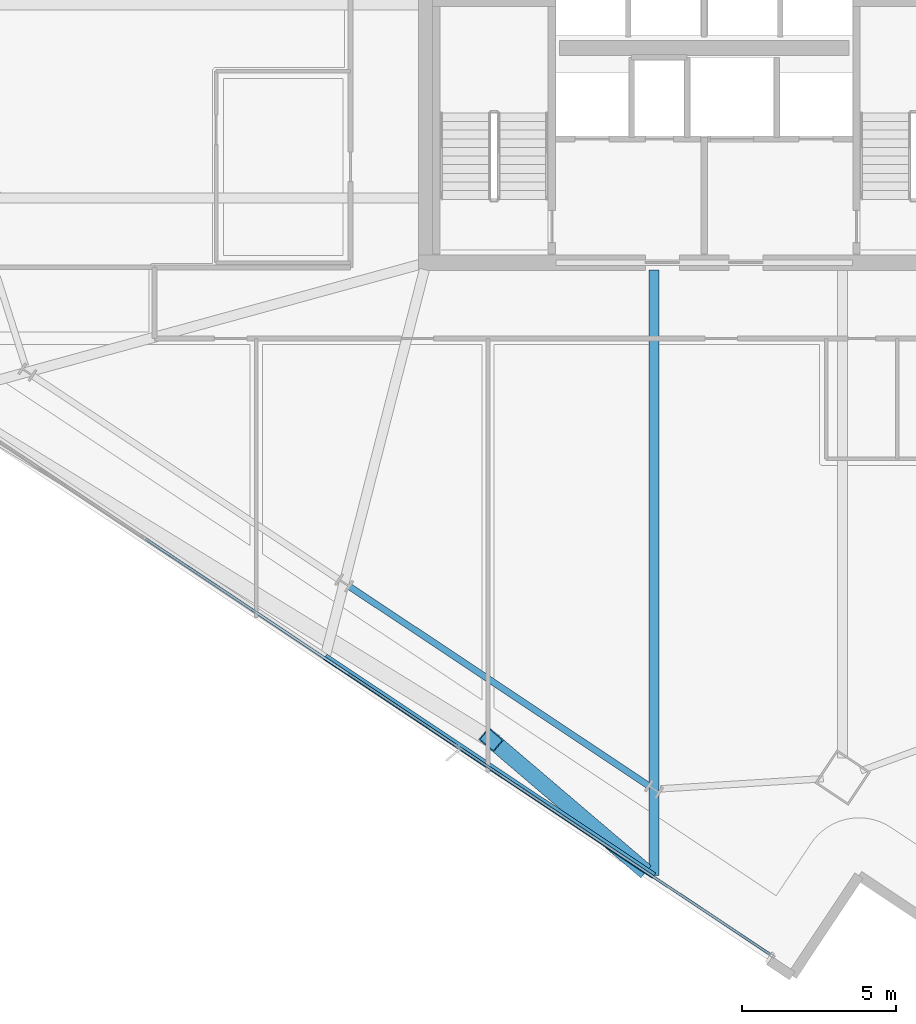
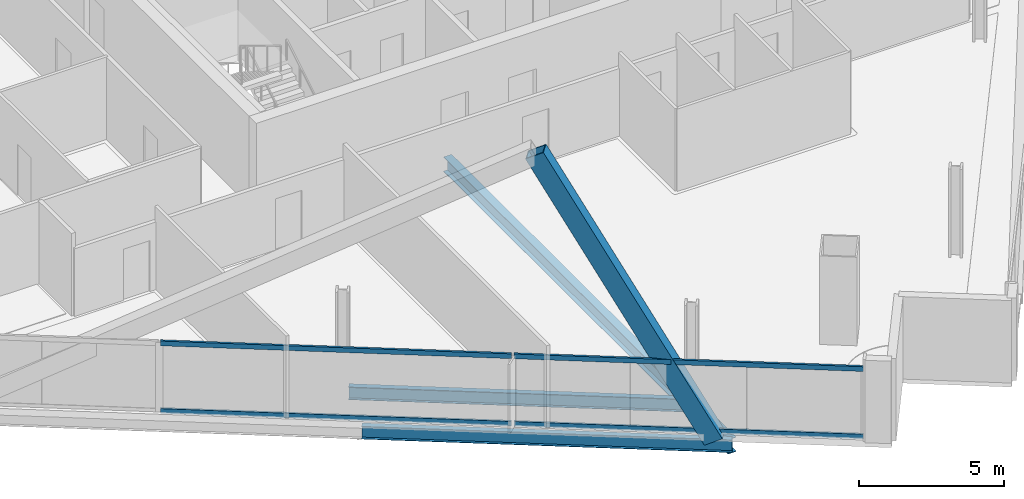
# One storey, part 3 of 32: 5 members, 3 beams, 1 element without a shape of its own.
"""IFC4 building model written with IfcOpenShell, lengths in metres."""

from ifc_helpers import new_model, si_unit, direction, frame, origin, origin_2d, place, context, subcontext, project, spatial, hollow_rectangle, i_section, extrude, material, material_profile, profile_set, type_object, element, aggregate, save


model = new_model("IFC4")

# Units and contexts
model_context = context("Model", 3, precision=1e-05, world=origin(), true_north=direction((0.0, 1.0)))
body_context = subcontext(model_context, "Body", "Model", "MODEL_VIEW")
ifc_project = project(units=[si_unit("LENGTHUNIT", "METRE"), si_unit("AREAUNIT", "SQUARE_METRE"), si_unit("VOLUMEUNIT", "CUBIC_METRE"), si_unit("PLANEANGLEUNIT", "RADIAN"), si_unit("MASSUNIT", "GRAM", prefix="KILO")], contexts=[model_context])

# Site, building, storey
site_placement = place(None, origin())
site = spatial("IfcSite", under=ifc_project, at=site_placement, CompositionType="ELEMENT")
building_placement = place(site_placement, origin())
building = spatial("IfcBuilding", under=site, at=building_placement, Name="Haldenkirk Collegiate Tower", CompositionType="ELEMENT")
storey_placement = place(building_placement, frame((0.0, 0.0, 217.199951171875)))
storey = spatial("IfcBuildingStorey", under=building, at=storey_placement, Name="L54", CompositionType="ELEMENT", Elevation=217.199951171875)

# Beams
ifc_material_1 = material(Name="Steel ASTM A992 Grade 50", Category="steel")
ifc_material_profile_1 = material_profile(ifc_material_1, i_section(OverallWidth=0.324951171875, OverallDepth=0.615966796875, WebThickness=0.013916015625, FlangeThickness=0.021484375, at=origin_2d()), Name="W24X117")
ifc_profile_set_1 = profile_set([ifc_material_profile_1], Name="Steel ASTM A992 Grade 50")
beam_type_1 = type_object("IfcBeamType", Name="BM-GIRDER-W24X117", PredefinedType="BEAM", material=ifc_profile_set_1)
beam_1_placement = place(storey_placement, frame((34.376708984375, -1.8466796875, -0.587890625), z_axis=(0.0, 1.0, 0.0), x_axis=(-1.0, 0.0, 0.0)))
element("IfcBeam", 1, at=beam_1_placement, inside=storey, type_object=beam_type_1, Name="L54 primary floor girder 16", PredefinedType="BEAM", context=body_context, shape_type="SweptSolid", body=[
    extrude(i_section(OverallWidth=0.324951171875, OverallDepth=0.615966796875, WebThickness=0.013916015625, FlangeThickness=0.021484375, at=origin_2d()), origin(), (0.0, 0.0, 1.0), 19.61669921875),
])
ifc_material_profile_2 = material_profile(ifc_material_1, i_section(OverallWidth=0.2099609375, OverallDepth=0.537109375, WebThickness=0.010986328125, FlangeThickness=0.017333984375, at=origin_2d()), Name="W21X68")
ifc_profile_set_2 = profile_set([ifc_material_profile_2], Name="Steel ASTM A992 Grade 50")
beam_type_2 = type_object("IfcBeamType", Name="BM-SPANDREL-W21X68", PredefinedType="SPANDREL", material=ifc_profile_set_2)
beam_2_placement = place(storey_placement, frame((24.52392578125, 7.510986328125, -0.54833984375), z_axis=(0.832441238083, -0.554113332395, 0.0), x_axis=(0.554113332395, 0.832441238083, 0.0)))
element("IfcBeam", 2, at=beam_2_placement, inside=storey, type_object=beam_type_2, Name="L54 perimeter spandrel beam 15", PredefinedType="SPANDREL", context=body_context, shape_type="SweptSolid", body=[
    extrude(i_section(OverallWidth=0.2099609375, OverallDepth=0.537109375, WebThickness=0.010986328125, FlangeThickness=0.017333984375, at=origin_2d()), origin(), (0.0, 0.0, 1.0), 11.618896484375),
])
beam_3_placement = place(storey_placement, frame((23.730712890625, 5.239990234375, -0.54833984375), z_axis=(0.832434829409, -0.554122959989, 0.0), x_axis=(0.554122959989, 0.832434829409, 0.0)))
element("IfcBeam", 3, at=beam_3_placement, inside=storey, type_object=beam_type_2, Name="L54 outer facade edge beam 4B", PredefinedType="SPANDREL", context=body_context, shape_type="SweptSolid", body=[
    extrude(i_section(OverallWidth=0.2099609375, OverallDepth=0.537109375, WebThickness=0.010986328125, FlangeThickness=0.017333984375, at=origin_2d()), origin(), (0.0, 0.0, 1.0), 12.7890625),
])

# Curtain wall, members
ifc_material_2 = material(Name="Anodised architectural bronze aluminium", Category="aluminium")
curtain_wall_type = type_object("IfcCurtainWallType", Name="CW-SYS1B-CONVEX-HI", PredefinedType="USERDEFINED", material=ifc_material_2)
curtain_wall_placement = place(storey_placement, origin())
curtain_wall = element("IfcCurtainWall", 4, at=curtain_wall_placement, inside=storey, type_object=curtain_wall_type, Name="L54 Upper tower high-wind convex bronze unitised curtain wall", ObjectType="UNITISED CURTAIN WALL", PredefinedType="USERDEFINED")
ifc_material_profile_3 = material_profile(ifc_material_2, hollow_rectangle(XDim=0.0849609375, YDim=0.199951171875, WallThickness=0.0048828125, at=origin_2d()), Name="CW-TRN-1B")
ifc_profile_set_3 = profile_set([ifc_material_profile_3], Name="Anodised architectural bronze aluminium")
member_type_1 = type_object("IfcMemberType", Name="CW-TRN-1B", PredefinedType="USERDEFINED", material=ifc_profile_set_3)
member_1_placement = place(storey_placement, frame((38.13037109375, -4.393310546875, 0.04248046875), z_axis=(-0.832442102928, 0.554112033142, 0.0), x_axis=(-0.554112033142, -0.832442102928, 0.0)))
member_1 = element("IfcMember", 5, at=member_1_placement, type_object=member_type_1, Name="CW-1B transom 1.1", ObjectType="TRANSOM", PredefinedType="USERDEFINED", context=body_context, shape_type="SweptSolid", body=[
    extrude(hollow_rectangle(XDim=0.0849609375, YDim=0.199951171875, WallThickness=0.0048828125, at=origin_2d()), origin(), (0.0, 0.0, 1.0), 12.072265625),
])
member_2_placement = place(storey_placement, frame((38.13037109375, -4.393310546875, 2.885498046875), z_axis=(-0.832442102928, 0.554112033142, 0.0), x_axis=(-0.554112033142, -0.832442102928, 0.0)))
member_2 = element("IfcMember", 6, at=member_2_placement, type_object=member_type_1, Name="CW-1B transom 1.2", ObjectType="TRANSOM", PredefinedType="USERDEFINED", context=body_context, shape_type="SweptSolid", body=[
    extrude(hollow_rectangle(XDim=0.0849609375, YDim=0.199951171875, WallThickness=0.0048828125, at=origin_2d()), origin(), (0.0, 0.0, 1.0), 12.072265625),
])
member_3_placement = place(storey_placement, frame((28.010009765625, 2.34326171875, 0.04248046875), z_axis=(-0.832437629184, 0.554118753986, 0.0), x_axis=(-0.554118753986, -0.832437629184, 0.0)))
member_3 = element("IfcMember", 7, at=member_3_placement, type_object=member_type_1, Name="CW-1B transom 2.1", ObjectType="TRANSOM", PredefinedType="USERDEFINED", context=body_context, shape_type="SweptSolid", body=[
    extrude(hollow_rectangle(XDim=0.0849609375, YDim=0.199951171875, WallThickness=0.0048828125, at=origin_2d()), origin(), (0.0, 0.0, 1.0), 12.114990234375),
])
member_4_placement = place(storey_placement, frame((28.010009765625, 2.34326171875, 2.885498046875), z_axis=(-0.832437629184, 0.554118753986, 0.0), x_axis=(-0.554118753986, -0.832437629184, 0.0)))
member_4 = element("IfcMember", 8, at=member_4_placement, type_object=member_type_1, Name="CW-1B transom 2.2", ObjectType="TRANSOM", PredefinedType="USERDEFINED", context=body_context, shape_type="SweptSolid", body=[
    extrude(hollow_rectangle(XDim=0.0849609375, YDim=0.199951171875, WallThickness=0.0048828125, at=origin_2d()), origin(), (0.0, 0.0, 1.0), 12.114990234375),
])
aggregate(curtain_wall, [member_1, member_2, member_3, member_4])

# Member
ifc_material_3 = material(Name="Steel ASTM A572 Grade 50", Category="steel")
ifc_material_profile_4 = material_profile(ifc_material_3, hollow_rectangle(XDim=0.52001953125, YDim=0.719970703125, WallThickness=0.035888671875, at=origin_2d()), Name="BOX720X520X36")
ifc_profile_set_4 = profile_set([ifc_material_profile_4], Name="Steel ASTM A572 Grade 50")
member_type_2 = type_object("IfcMemberType", Name="MBR-MEGABRACE-BOX720X520X36", PredefinedType="BRACE", material=ifc_profile_set_4)
member_5_placement = place(storey_placement, frame((33.877197265625, -1.51416015625, -0.2900390625), z_axis=(-0.370604149287, 0.31609573498, 0.873347611698), x_axis=(-0.648937331595, -0.760841862454, 0.0)))
element("IfcMember", 9, at=member_5_placement, inside=storey, type_object=member_type_2, Name="Perimeter Mega Brace Z4 L54-L56 WR", PredefinedType="BRACE", context=body_context, shape_type="SweptSolid", body=[
    extrude(hollow_rectangle(XDim=0.52001953125, YDim=0.719970703125, WallThickness=0.035888671875, at=origin_2d()), origin(), (0.0, 0.0, 1.0), 12.88134765625),
])

save(model, "model.ifc")
